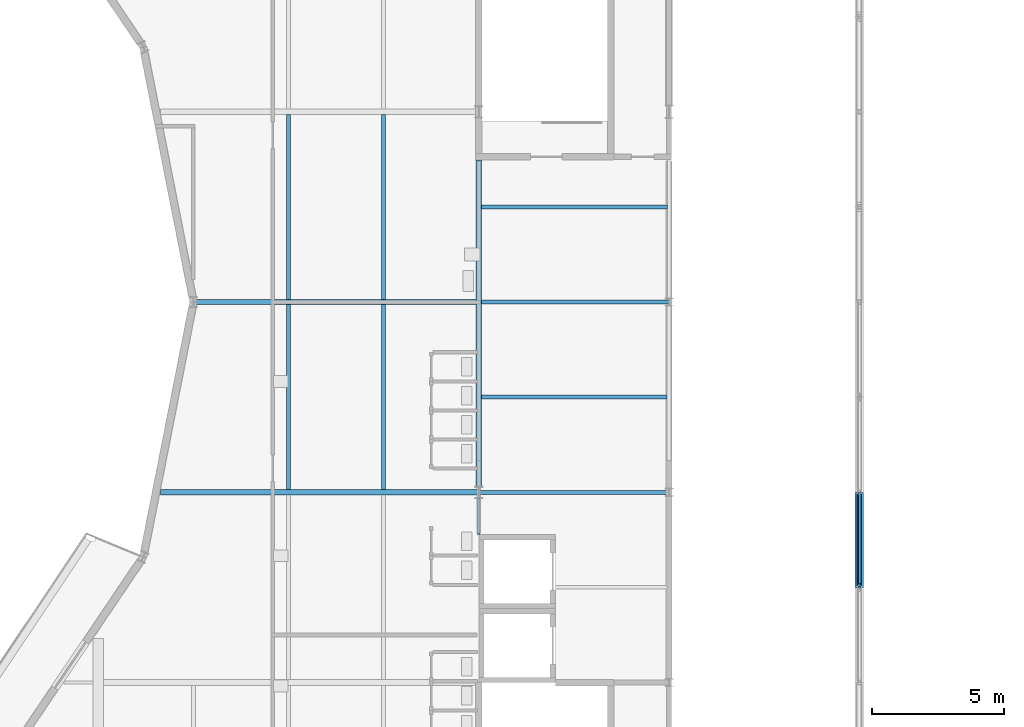
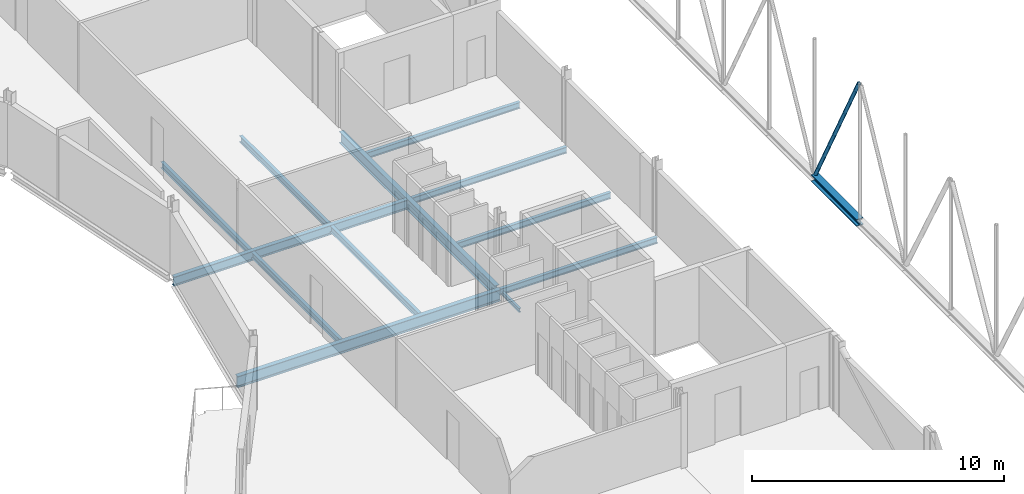
# One storey, part 38 of 142: 12 beams, 2 members.
"""IFC4 building model written with IfcOpenShell, lengths in metres."""

from ifc_helpers import new_model, si_unit, direction, frame, origin, origin_2d, place, context, subcontext, project, spatial, hollow_circle, i_section, extrude, material, material_profile, profile_set, type_object, element, save


model = new_model("IFC4")

# Units and contexts
model_context = context("Model", 3, precision=1e-05, world=origin(), true_north=direction((0.0, 1.0)))
body_context = subcontext(model_context, "Body", "Model", "MODEL_VIEW")
ifc_project = project(units=[si_unit("LENGTHUNIT", "METRE"), si_unit("AREAUNIT", "SQUARE_METRE"), si_unit("VOLUMEUNIT", "CUBIC_METRE"), si_unit("PLANEANGLEUNIT", "RADIAN"), si_unit("MASSUNIT", "GRAM", prefix="KILO")], contexts=[model_context])

# Site, building, storey
site_placement = place(None, origin())
site = spatial("IfcSite", under=ifc_project, at=site_placement, CompositionType="ELEMENT")
building_placement = place(site_placement, origin())
building = spatial("IfcBuilding", under=site, at=building_placement, Name="Kupolbacken Congress Centre", CompositionType="ELEMENT")
storey_placement = place(building_placement, frame((0.0, 0.0, 14.39990234375)))
storey = spatial("IfcBuildingStorey", under=building, at=storey_placement, Name="L04", CompositionType="ELEMENT", Elevation=14.39990234375)

# Beams
ifc_material_1 = material(Name="Steel S355", Category="steel")
ifc_material_profile_1 = material_profile(ifc_material_1, i_section(OverallWidth=0.10009765625, OverallDepth=0.199951171875, WebThickness=0.005615234375, FlangeThickness=0.008544921875, FilletRadius=0.011962890625, at=origin_2d()), Name="IPE 200")
ifc_profile_set_1 = profile_set([ifc_material_profile_1], Name="Steel S355")
beam_type_1 = type_object("IfcBeamType", Name="B01 beam IPE 200", PredefinedType="BEAM", material=ifc_profile_set_1)
beam_1_placement = place(storey_placement, frame((79.199951171875, 77.60009765625, -0.27978515625), z_axis=(0.0, 1.0, 0.0), x_axis=(-1.0, 0.0, 0.0)))
element("IfcBeam", 1, at=beam_1_placement, inside=storey, type_object=beam_type_1, Name="S/floor/P/L04/G034", PredefinedType="BEAM", context=body_context, shape_type="SweptSolid", body=[
    extrude(i_section(OverallWidth=0.10009765625, OverallDepth=0.199951171875, WebThickness=0.005615234375, FlangeThickness=0.008544921875, FilletRadius=0.011962890625, at=origin_2d()), origin(), (0.0, 0.0, 1.0), 1.375),
])
ifc_material_2 = material(Name="Steel S355", Category="steel")
ifc_material_profile_2 = material_profile(ifc_material_2, i_section(OverallWidth=0.14990234375, OverallDepth=0.300048828125, WebThickness=0.007080078125, FlangeThickness=0.0107421875, FilletRadius=0.014892578125, at=origin_2d()), Name="IPE 300")
ifc_profile_set_2 = profile_set([ifc_material_profile_2], Name="Steel S355")
beam_type_2 = type_object("IfcBeamType", Name="B04 beam IPE 300", PredefinedType="BEAM", material=ifc_profile_set_2)
for number, where, z_axis, x_axis, name in (
    (2, (72.0, 79.304931640625, -0.329833984375), (0.0, 1.0, 0.0), (-1.0, 0.0, 0.0), "S/floor/P/L04/S144"),
    (3, (72.0, 86.4951171875, -0.329833984375), (0.0, 1.0, 0.0), (-1.0, 0.0, 0.0), "S/floor/P/L04/S145"),
    (4, (75.60009765625, 79.304931640625, -0.329833984375), (0.0, 1.0, 0.0), (-1.0, 0.0, 0.0), "S/floor/P/L04/S155"),
    (5, (75.60009765625, 86.4951171875, -0.329833984375), (0.0, 1.0, 0.0), (-1.0, 0.0, 0.0), "S/floor/P/L04/S156"),
):
    element("IfcBeam", number, at=place(storey_placement, frame(where, z_axis=z_axis, x_axis=x_axis)), inside=storey, type_object=beam_type_2, Name=name, PredefinedType="BEAM", context=body_context, shape_type="SweptSolid", body=[
        extrude(i_section(OverallWidth=0.14990234375, OverallDepth=0.300048828125, WebThickness=0.007080078125, FlangeThickness=0.0107421875, FilletRadius=0.014892578125, at=origin_2d()), origin(), (0.0, 0.0, 1.0), 7.0),
    ])
beam_2_placement = place(storey_placement, frame((79.20703125, 79.199951171875, -0.329833984375), z_axis=(1.0, 0.0, 0.0), x_axis=(0.0, 1.0, 0.0)))
element("IfcBeam", 6, at=beam_2_placement, inside=storey, type_object=beam_type_2, Name="S/floor/LINK/L04/R016", PredefinedType="BEAM", context=body_context, shape_type="SweptSolid", body=[
    extrude(i_section(OverallWidth=0.14990234375, OverallDepth=0.300048828125, WebThickness=0.007080078125, FlangeThickness=0.0107421875, FilletRadius=0.014892578125, at=origin_2d()), origin(), (0.0, 0.0, 1.0), 7.188720703125),
])
beam_3_placement = place(storey_placement, frame((79.304931640625, 82.800048828125, -0.329833984375), z_axis=(1.0, 0.0, 0.0), x_axis=(0.0, 1.0, 0.0)))
element("IfcBeam", 7, at=beam_3_placement, inside=storey, type_object=beam_type_2, Name="S/floor/LINK/L04/R017", PredefinedType="BEAM", context=body_context, shape_type="SweptSolid", body=[
    extrude(i_section(OverallWidth=0.14990234375, OverallDepth=0.300048828125, WebThickness=0.007080078125, FlangeThickness=0.0107421875, FilletRadius=0.014892578125, at=origin_2d()), origin(), (0.0, 0.0, 1.0), 7.02001953125),
])
beam_4_placement = place(storey_placement, frame((79.304931640625, 86.39990234375, -0.329833984375), z_axis=(1.0, 0.0, 0.0), x_axis=(0.0, 1.0, 0.0)))
element("IfcBeam", 8, at=beam_4_placement, inside=storey, type_object=beam_type_2, Name="S/floor/LINK/L04/R018", PredefinedType="BEAM", context=body_context, shape_type="SweptSolid", body=[
    extrude(i_section(OverallWidth=0.14990234375, OverallDepth=0.300048828125, WebThickness=0.007080078125, FlangeThickness=0.0107421875, FilletRadius=0.014892578125, at=origin_2d()), origin(), (0.0, 0.0, 1.0), 7.0908203125),
])
beam_5_placement = place(storey_placement, frame((79.304931640625, 90.0, -0.329833984375), z_axis=(1.0, 0.0, 0.0), x_axis=(0.0, 1.0, 0.0)))
element("IfcBeam", 9, at=beam_5_placement, inside=storey, type_object=beam_type_2, Name="S/floor/LINK/L04/R019", PredefinedType="BEAM", context=body_context, shape_type="SweptSolid", body=[
    extrude(i_section(OverallWidth=0.14990234375, OverallDepth=0.300048828125, WebThickness=0.007080078125, FlangeThickness=0.0107421875, FilletRadius=0.014892578125, at=origin_2d()), origin(), (0.0, 0.0, 1.0), 7.027587890625),
])
ifc_material_3 = material(Name="Steel S355", Category="steel")
ifc_material_profile_3 = material_profile(ifc_material_3, i_section(OverallWidth=0.18994140625, OverallDepth=0.449951171875, WebThickness=0.009521484375, FlangeThickness=0.0146484375, FilletRadius=0.02099609375, at=origin_2d()), Name="IPE 450")
ifc_profile_set_3 = profile_set([ifc_material_profile_3], Name="Steel S355")
beam_type_3 = type_object("IfcBeamType", Name="B08 beam IPE 450", PredefinedType="BEAM", material=ifc_profile_set_3)
beam_6_placement = place(storey_placement, frame((68.40673828125, 86.39990234375, -0.40478515625), z_axis=(1.0, 0.0, 0.0), x_axis=(0.0, 1.0, 0.0)))
element("IfcBeam", 10, at=beam_6_placement, inside=storey, type_object=beam_type_3, Name="S/floor/P/L04/R054", PredefinedType="BEAM", context=body_context, shape_type="SweptSolid", body=[
    extrude(i_section(OverallWidth=0.18994140625, OverallDepth=0.449951171875, WebThickness=0.009521484375, FlangeThickness=0.0146484375, FilletRadius=0.02099609375, at=origin_2d()), origin(), (0.0, 0.0, 1.0), 10.688232421875),
])
ifc_material_4 = material(Name="Steel S355", Category="steel")
ifc_material_profile_4 = material_profile(ifc_material_4, i_section(OverallWidth=0.2099609375, OverallDepth=0.550048828125, WebThickness=0.010986328125, FlangeThickness=0.01708984375, FilletRadius=0.02392578125, at=origin_2d()), Name="IPE 550")
ifc_profile_set_4 = profile_set([ifc_material_profile_4], Name="Steel S355")
beam_type_4 = type_object("IfcBeamType", Name="B10 beam IPE 550", PredefinedType="BEAM", material=ifc_profile_set_4)
beam_7_placement = place(storey_placement, frame((79.199951171875, 79.425048828125, -0.454833984375), z_axis=(0.0, 1.0, 0.0), x_axis=(-1.0, 0.0, 0.0)))
element("IfcBeam", 11, at=beam_7_placement, inside=storey, type_object=beam_type_4, Name="S/floor/P/L04/G035", PredefinedType="BEAM", context=body_context, shape_type="SweptSolid", body=[
    extrude(i_section(OverallWidth=0.2099609375, OverallDepth=0.550048828125, WebThickness=0.010986328125, FlangeThickness=0.01708984375, FilletRadius=0.02392578125, at=origin_2d()), origin(), (0.0, 0.0, 1.0), 12.349853515625),
])
beam_8_placement = place(storey_placement, frame((67.156005859375, 79.199951171875, -0.454833984375), z_axis=(1.0, 0.0, 0.0), x_axis=(0.0, 1.0, 0.0)))
element("IfcBeam", 12, at=beam_8_placement, inside=storey, type_object=beam_type_4, Name="S/floor/P/L04/R052", PredefinedType="BEAM", context=body_context, shape_type="SweptSolid", body=[
    extrude(i_section(OverallWidth=0.2099609375, OverallDepth=0.550048828125, WebThickness=0.010986328125, FlangeThickness=0.01708984375, FilletRadius=0.02392578125, at=origin_2d()), origin(), (0.0, 0.0, 1.0), 12.037109375),
])

# Members
ifc_material_5 = material(Name="Steel S355", Category="steel")
ifc_material_profile_5 = material_profile(ifc_material_5, i_section(OverallWidth=0.31005859375, OverallDepth=0.340087890625, WebThickness=0.02099609375, FlangeThickness=0.0390625, FilletRadius=0.027099609375, at=origin_2d()), Name="HEM 300")
ifc_profile_set_5 = profile_set([ifc_material_profile_5], Name="Steel S355")
member_type_1 = type_object("IfcMemberType", Name="M01 transfer truss chord HEM 300", PredefinedType="CHORD", material=ifc_profile_set_5)
member_1_placement = place(storey_placement, frame((93.60009765625, 75.60009765625, 0.16015625), z_axis=(0.0, 1.0, 0.0), x_axis=(-1.0, 0.0, 0.0)))
element("IfcMember", 13, at=member_1_placement, inside=storey, type_object=member_type_1, Name="HT/T1/BC10", PredefinedType="CHORD", context=body_context, shape_type="SweptSolid", body=[
    extrude(i_section(OverallWidth=0.31005859375, OverallDepth=0.340087890625, WebThickness=0.02099609375, FlangeThickness=0.0390625, FilletRadius=0.027099609375, at=origin_2d()), origin(), (0.0, 0.0, 1.0), 3.599853515625),
])
ifc_material_6 = material(Name="Steel S355", Category="steel")
ifc_material_profile_6 = material_profile(ifc_material_6, hollow_circle(Radius=0.084228515625, WallThickness=0.008056640625, at=origin_2d()), Name="CHS 168.3 x 8")
ifc_profile_set_6 = profile_set([ifc_material_profile_6], Name="Steel S355")
member_type_2 = type_object("IfcMemberType", Name="M06 transfer truss web CHS 168.3 x 8", PredefinedType="BRACE", material=ifc_profile_set_6)
member_2_placement = place(storey_placement, frame((93.60009765625, 75.68408203125, 6.8310546875), z_axis=(0.0, 0.468481741227, -0.88347317907), x_axis=(-1.0, 0.0, 0.0)))
element("IfcMember", 14, at=member_2_placement, inside=storey, type_object=member_type_2, Name="HT/T1/D10", PredefinedType="BRACE", context=body_context, shape_type="SweptSolid", body=[
    extrude(hollow_circle(Radius=0.084228515625, WallThickness=0.008056640625, at=origin_2d()), origin(), (0.0, 0.0, 1.0), 7.325439453125),
])

save(model, "model.ifc")
